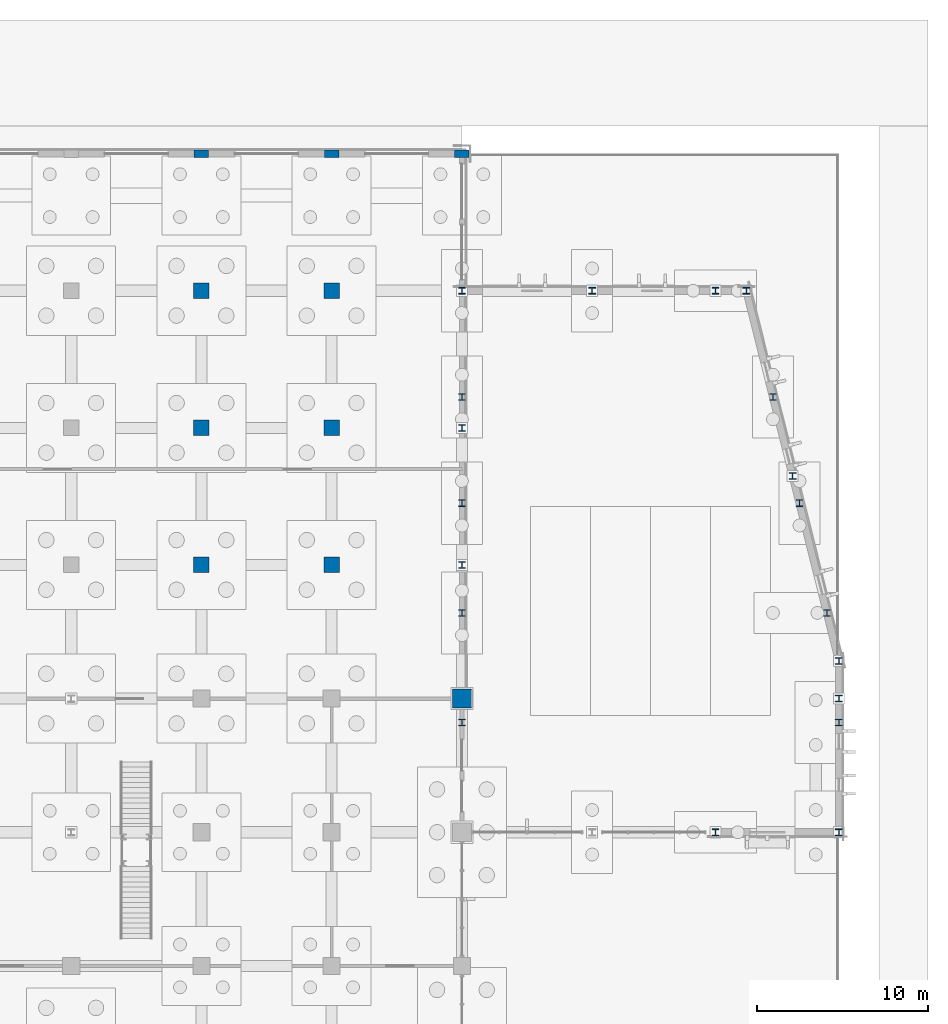
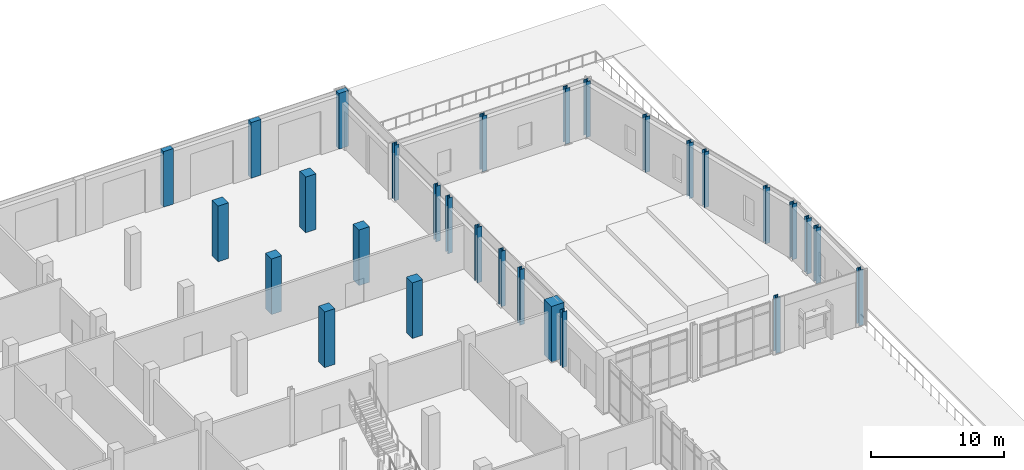
# One storey, part 31 of 94: 29 columns.
"""IFC4 building model written with IfcOpenShell, lengths in metres."""

from ifc_helpers import new_model, si_unit, direction, frame, origin, origin_2d, place, context, subcontext, project, spatial, rectangle, i_section, extrude, material, material_profile, profile_set, type_object, element, save


model = new_model("IFC4")

# Units and contexts
model_context = context("Model", 3, precision=1e-05, world=origin(), true_north=direction((0.0, 1.0)))
body_context = subcontext(model_context, "Body", "Model", "MODEL_VIEW")
ifc_project = project(units=[si_unit("LENGTHUNIT", "METRE"), si_unit("AREAUNIT", "SQUARE_METRE"), si_unit("VOLUMEUNIT", "CUBIC_METRE"), si_unit("PLANEANGLEUNIT", "RADIAN"), si_unit("MASSUNIT", "GRAM", prefix="KILO")], contexts=[model_context])

# Site, building, storey
site_placement = place(None, origin())
site = spatial("IfcSite", under=ifc_project, at=site_placement, CompositionType="ELEMENT")
building_placement = place(site_placement, origin())
building = spatial("IfcBuilding", under=site, at=building_placement, Name="Vervanel Yard Central Library", CompositionType="ELEMENT")
storey_placement = place(building_placement, origin())
storey = spatial("IfcBuildingStorey", under=building, at=storey_placement, Name="L00", CompositionType="ELEMENT", Elevation=0.0)

# Columns
ifc_material_1 = material(Name="Concrete C45/55", Category="concrete")
ifc_material_profile_1 = material_profile(ifc_material_1, rectangle(XDim=0.89990234375, YDim=0.89990234375, at=origin_2d()), Name="RC 900x900", Category="concrete")
ifc_profile_set_1 = profile_set([ifc_material_profile_1], Name="Concrete C45/55")
column_type_1 = type_object("IfcColumnType", Name="Concrete Column 900x900", PredefinedType="COLUMN", material=ifc_profile_set_1)
for number, where, z_axis, x_axis, name in (
    (1, (130.800048828125, 90.0, 0.0), (0.0, 0.0, 1.0), (1.0, 0.0, 0.0), "L00 Concrete Column 900x900 (130.8, 90.0)"),
    (2, (130.800048828125, 98.0, 0.0), (0.0, 0.0, 1.0), (1.0, 0.0, 0.0), "L00 Concrete Column 900x900 (130.8, 98.0)"),
    (3, (130.800048828125, 106.0, 0.0), (0.0, 0.0, 1.0), (1.0, 0.0, 0.0), "L00 Concrete Column 900x900 (130.8, 106.0)"),
    (4, (138.39990234375, 90.0, 0.0), (0.0, 0.0, 1.0), (1.0, 0.0, 0.0), "L00 Concrete Column 900x900 (138.4, 90.0)"),
    (5, (138.39990234375, 98.0, 0.0), (0.0, 0.0, 1.0), (1.0, 0.0, 0.0), "L00 Concrete Column 900x900 (138.4, 98.0)"),
    (6, (138.39990234375, 106.0, 0.0), (0.0, 0.0, 1.0), (1.0, 0.0, 0.0), "L00 Concrete Column 900x900 (138.4, 106.0)"),
):
    element("IfcColumn", number, at=place(storey_placement, frame(where, z_axis=z_axis, x_axis=x_axis)), inside=storey, type_object=column_type_1, Name=name, PredefinedType="COLUMN", context=body_context, shape_type="SweptSolid", body=[
        extrude(rectangle(XDim=0.89990234375, YDim=0.89990234375, at=origin_2d()), origin(), (0.0, 0.0, 1.0), 5.10009765625),
    ])
ifc_material_profile_2 = material_profile(ifc_material_1, rectangle(XDim=1.10009765625, YDim=1.10009765625, at=origin_2d()), Name="RC 1100x1100", Category="concrete")
ifc_profile_set_2 = profile_set([ifc_material_profile_2], Name="Concrete C45/55")
column_type_2 = type_object("IfcColumnType", Name="Fulcrum Mega-Column 1100x1100", PredefinedType="COLUMN", material=ifc_profile_set_2)
column_placement = place(storey_placement, frame((146.0, 82.199951171875, 0.0), z_axis=(0.0, 0.0, 1.0), x_axis=(1.0, 0.0, 0.0)))
element("IfcColumn", 7, at=column_placement, inside=storey, type_object=column_type_2, Name="L00 Fulcrum Mega-Column 1100x1100 (146.0, 82.2)", PredefinedType="COLUMN", context=body_context, shape_type="SweptSolid", body=[
    extrude(rectangle(XDim=1.10009765625, YDim=1.10009765625, at=origin_2d()), origin(), (0.0, 0.0, 1.0), 5.10009765625),
])
ifc_material_profile_3 = material_profile(ifc_material_1, rectangle(XDim=0.449951171875, YDim=0.85009765625, at=origin_2d()), Name="RC 450x850", Category="concrete")
ifc_profile_set_3 = profile_set([ifc_material_profile_3], Name="Concrete C45/55")
column_type_3 = type_object("IfcColumnType", Name="Stack Spine Column 450x850", PredefinedType="COLUMN", material=ifc_profile_set_3)
for number, where, z_axis, x_axis, name in (
    (8, (130.800048828125, 114.0, 0.0), (0.0, 0.0, 1.0), (0.0, 1.0, 0.0), "L00 Stack Spine Column 450x850 (130.8, 114.0)"),
    (9, (138.39990234375, 114.0, 0.0), (0.0, 0.0, 1.0), (0.0, 1.0, 0.0), "L00 Stack Spine Column 450x850 (138.4, 114.0)"),
    (10, (146.0, 114.0, 0.0), (0.0, 0.0, 1.0), (0.0, 1.0, 0.0), "L00 Stack Spine Column 450x850 (146.0, 114.0)"),
):
    element("IfcColumn", number, at=place(storey_placement, frame(where, z_axis=z_axis, x_axis=x_axis)), inside=storey, type_object=column_type_3, Name=name, PredefinedType="COLUMN", context=body_context, shape_type="SweptSolid", body=[
        extrude(rectangle(XDim=0.449951171875, YDim=0.85009765625, at=origin_2d()), origin(), (0.0, 0.0, 1.0), 5.10009765625),
    ])
ifc_material_2 = material(Name="Steel ASTM A992 Grade 50", Category="steel")
ifc_material_profile_4 = material_profile(ifc_material_2, i_section(OverallWidth=0.396240234375, OverallDepth=0.381103515625, WebThickness=0.01904296875, FlangeThickness=0.0302734375, at=origin_2d()), Name="W14X159", Category="steel")
ifc_profile_set_4 = profile_set([ifc_material_profile_4], Name="Steel ASTM A992 Grade 50")
column_type_4 = type_object("IfcColumnType", Name="Steel Column W14X159", PredefinedType="COLUMN", material=ifc_profile_set_4)
for number, where, z_axis, x_axis, name in (
    (11, (146.0, 90.0, 0.0), (0.0, 0.0, 1.0), (1.0, 0.0, 0.0), "L00 Steel Column W14X159 (146.0, 90.0)"),
    (12, (146.0, 98.0, 0.0), (0.0, 0.0, 1.0), (1.0, 0.0, 0.0), "L00 Steel Column W14X159 (146.0, 98.0)"),
    (13, (146.0, 106.0, 0.0), (0.0, 0.0, 1.0), (1.0, 0.0, 0.0), "L00 Steel Column W14X159 (146.0, 106.0)"),
    (14, (153.60009765625, 106.0, 0.0), (0.0, 0.0, 1.0), (1.0, 0.0, 0.0), "L00 Steel Column W14X159 (153.6, 106.0)"),
    (15, (160.800048828125, 74.39990234375, 0.0), (0.0, 0.0, 1.0), (1.0, 0.0, 0.0), "L00 Steel Column W14X159 (160.8, 74.4)"),
    (16, (160.800048828125, 106.0, 0.0), (0.0, 0.0, 1.0), (1.0, 0.0, 0.0), "L00 Steel Column W14X159 (160.8, 106.0)"),
    (17, (162.60009765625, 106.0, 0.0), (0.0, 0.0, 1.0), (1.0, 0.0, 0.0), "L00 Steel Column W14X159 (162.6, 106.0)"),
    (18, (165.300048828125, 95.199951171875, 0.0), (0.0, 0.0, 1.0), (1.0, 0.0, 0.0), "L00 Steel Column W14X159 (165.3, 95.2)"),
    (19, (168.0, 74.39990234375, 0.0), (0.0, 0.0, 1.0), (1.0, 0.0, 0.0), "L00 Steel Column W14X159 (168.0, 74.4)"),
    (20, (168.0, 82.199951171875, 0.0), (0.0, 0.0, 1.0), (1.0, 0.0, 0.0), "L00 Steel Column W14X159 (168.0, 82.2)"),
    (21, (168.0, 84.39990234375, 0.0), (0.0, 0.0, 1.0), (1.0, 0.0, 0.0), "L00 Steel Column W14X159 (168.0, 84.4)"),
    (22, (146.0, 80.800048828125, 0.0), (0.0, 0.0, 1.0), (1.0, 0.0, 0.0), "L00 Auditorium West Post 2"),
    (23, (168.0, 80.800048828125, 0.0), (0.0, 0.0, 1.0), (1.0, 0.0, 0.0), "L00 Auditorium East Post 2"),
    (24, (146.0, 87.199951171875, 0.0), (0.0, 0.0, 1.0), (1.0, 0.0, 0.0), "L00 Auditorium West Post 3"),
    (25, (167.300048828125, 87.199951171875, 0.0), (0.0, 0.0, 1.0), (1.0, 0.0, 0.0), "L00 Auditorium East Post 3"),
    (26, (146.0, 93.60009765625, 0.0), (0.0, 0.0, 1.0), (1.0, 0.0, 0.0), "L00 Auditorium West Post 4"),
    (27, (165.699951171875, 93.60009765625, 0.0), (0.0, 0.0, 1.0), (1.0, 0.0, 0.0), "L00 Auditorium East Post 4"),
    (28, (146.0, 99.800048828125, 0.0), (0.0, 0.0, 1.0), (1.0, 0.0, 0.0), "L00 Auditorium West Post 5"),
    (29, (164.14990234375, 99.800048828125, 0.0), (0.0, 0.0, 1.0), (1.0, 0.0, 0.0), "L00 Auditorium East Post 5"),
):
    element("IfcColumn", number, at=place(storey_placement, frame(where, z_axis=z_axis, x_axis=x_axis)), inside=storey, type_object=column_type_4, Name=name, PredefinedType="COLUMN", context=body_context, shape_type="SweptSolid", body=[
        extrude(i_section(OverallWidth=0.396240234375, OverallDepth=0.381103515625, WebThickness=0.01904296875, FlangeThickness=0.0302734375, at=origin_2d()), origin(), (0.0, 0.0, 1.0), 5.10009765625),
    ])

save(model, "model.ifc")
